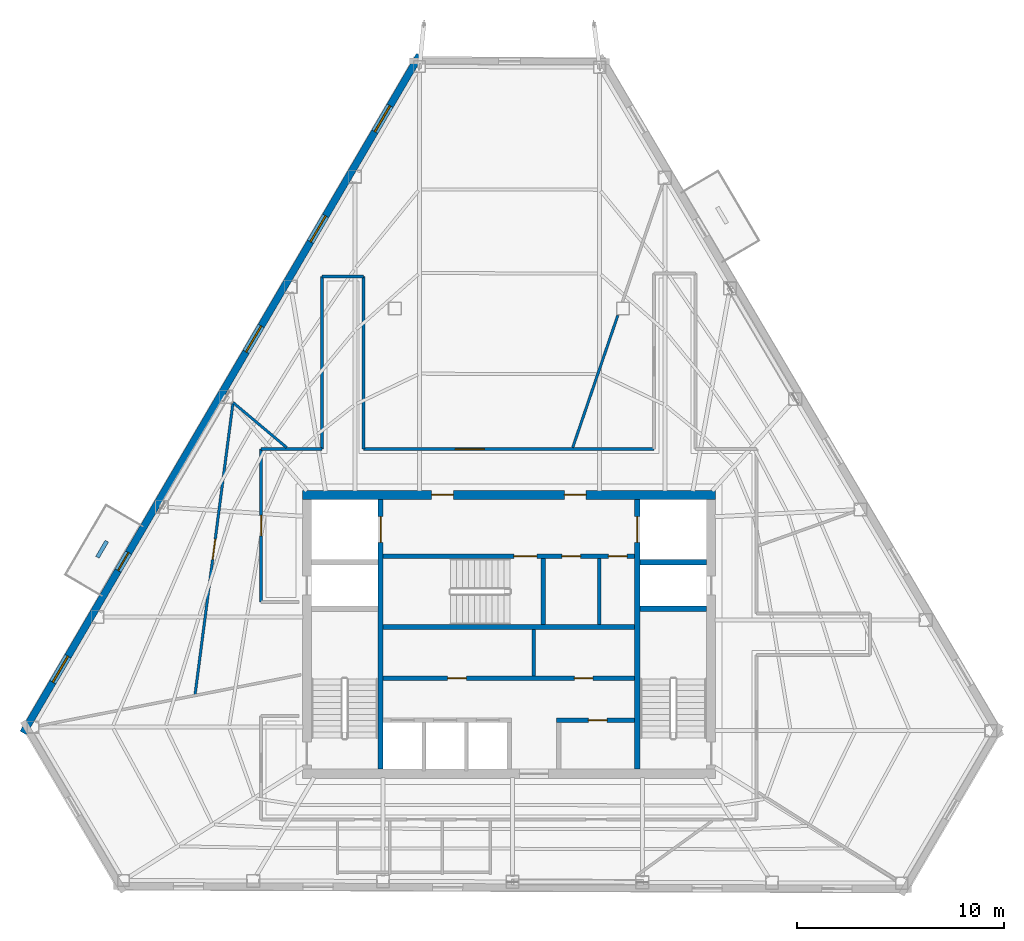
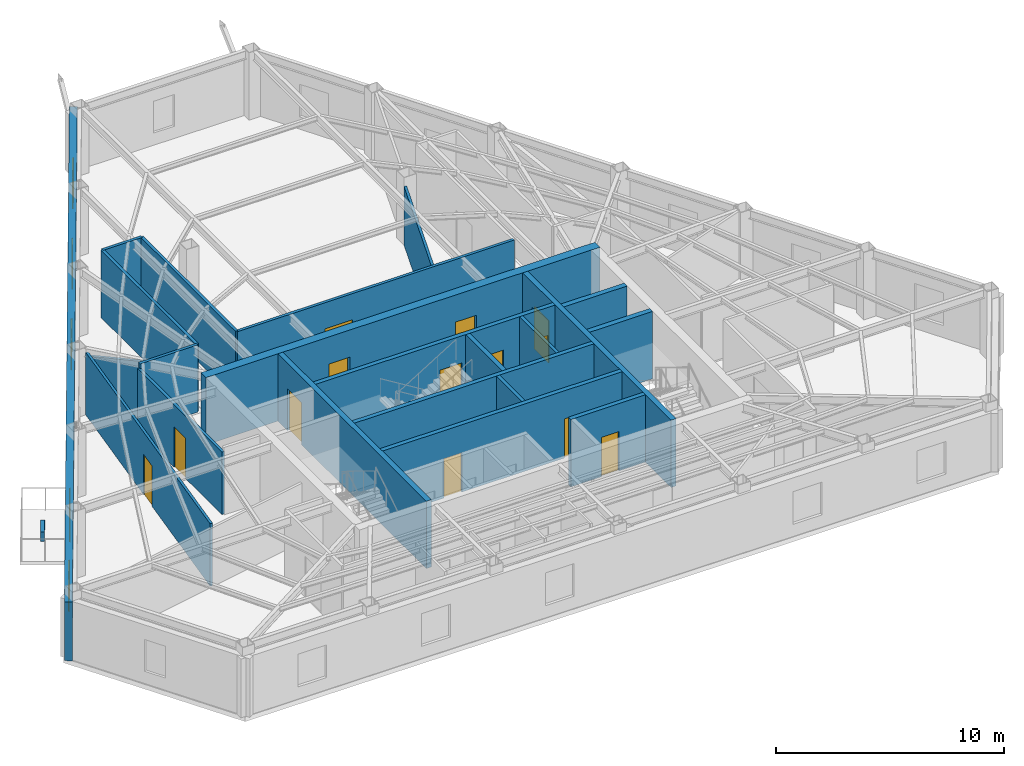
# One storey, part 7 of 10: 23 walls, 14 doors, 4 windows, 18 openings.
"""IFC4 building model written with IfcOpenShell, lengths in metres."""

from ifc_helpers import new_model, si_unit, direction, frame, frame_2d, origin, place, context, subcontext, project, spatial, rectangle, extrude, material, layer, layer_set, type_object, element, fill, save


model = new_model("IFC4")

# Units and contexts
model_context = context("Model", 3, precision=1e-05, world=origin(), true_north=direction((0.0, 1.0)))
body_context = subcontext(model_context, "Body", "Model", "MODEL_VIEW")
ifc_project = project(units=[si_unit("LENGTHUNIT", "METRE"), si_unit("AREAUNIT", "SQUARE_METRE"), si_unit("VOLUMEUNIT", "CUBIC_METRE"), si_unit("PLANEANGLEUNIT", "RADIAN"), si_unit("MASSUNIT", "GRAM", prefix="KILO")], contexts=[model_context])

# Site, building, storey
site_placement = place(None, origin())
site = spatial("IfcSite", under=ifc_project, at=site_placement, CompositionType="ELEMENT")
building_placement = place(site_placement, origin())
building = spatial("IfcBuilding", under=site, at=building_placement, Name="Kavelnor Concourse Tower", CompositionType="ELEMENT")
storey_placement = place(building_placement, frame((0.0, 0.0, 199.64990234375)))
storey = spatial("IfcBuildingStorey", under=building, at=storey_placement, Name="L50", CompositionType="ELEMENT", Elevation=199.64990234375)

# Wall, openings, doors
ifc_material_1 = material(Name="Concrete C50/60", Category="concrete")
ifc_layer_1 = layer(ifc_material_1, 0.43994140625, Name="Concrete C50/60")
ifc_layer_set_1 = layer_set([ifc_layer_1], Name="Concrete C50/60")
wall_type_1 = type_object("IfcWallType", Name="WL-CORE-Z3-440", PredefinedType="SOLIDWALL", material=ifc_layer_set_1)
wall_1_placement = place(storey_placement, frame((28.0400390625, 22.820068359375, 0.0), z_axis=(0.0, 0.0, 1.0), x_axis=(1.0, 0.0, 0.0)))
wall_1 = element("IfcWall", 1, at=wall_1_placement, inside=storey, type_object=wall_type_1, Name="L50 Central Core North Shear Wall", PredefinedType="SOLIDWALL", context=body_context, shape_type="SweptSolid", body=[
    extrude(rectangle(XDim=19.919921875, YDim=0.43994140625, at=frame_2d((9.9599609375, 0.0))), origin(), (0.0, 0.0, 1.0), 3.60009765625),
])
opening_1_placement = place(wall_1_placement, frame((6.235107421875, 0.0, 0.0)))
opening_1 = element("IfcOpeningElement", 2, at=opening_1_placement, cuts=wall_1, Name="Opening FD-105", PredefinedType="OPENING", context=body_context, shape_type="SweptSolid", body=[
    extrude(rectangle(XDim=1.050048828125, YDim=2.14990234375, at=frame_2d((0.52490234375, 1.074951171875))), frame((0.0, 0.22998046875, 0.0), z_axis=(0.0, -1.0, 0.0), x_axis=(1.0, 0.0, 0.0)), (0.0, 0.0, 1.0), 0.4599609375),
])
opening_2_placement = place(wall_1_placement, frame((12.635009765625, 0.0, 0.0)))
opening_2 = element("IfcOpeningElement", 3, at=opening_2_placement, cuts=wall_1, Name="Opening FD-105", PredefinedType="OPENING", context=body_context, shape_type="SweptSolid", body=[
    extrude(rectangle(XDim=1.050048828125, YDim=2.14990234375, at=frame_2d((0.52490234375, 1.074951171875))), frame((0.0, 0.22998046875, 0.0), z_axis=(0.0, -1.0, 0.0), x_axis=(1.0, 0.0, 0.0)), (0.0, 0.0, 1.0), 0.4599609375),
])
ifc_material_2 = material(Name="Steel Grade 350", Category="steel")
door_type_1 = type_object("IfcDoorType", Name="DR-LOBBY-FIRE-1050", OperationType="NOTDEFINED", PredefinedType="DOOR", material=ifc_material_2)
door_1_placement = place(opening_1_placement, origin())
door_1 = element("IfcDoor", 4, at=door_1_placement, inside=storey, type_object=door_type_1, Name="L50 Emergency Lift Lobby West Door", OperationType="SINGLE_SWING_LEFT", OverallHeight=2.14990234375, OverallWidth=1.050048828125, PredefinedType="DOOR", context=body_context, shape_type="SweptSolid", body=[
    extrude(rectangle(XDim=1.050048828125, YDim=2.14990234375, at=frame_2d((0.52490234375, 1.074951171875))), frame((0.0, 0.02490234375, 0.0), z_axis=(0.0, -1.0, 0.0), x_axis=(1.0, 0.0, 0.0)), (0.0, 0.0, 1.0), 0.050048828125),
])
fill(opening_1, door_1)
door_2_placement = place(opening_2_placement, origin())
door_2 = element("IfcDoor", 5, at=door_2_placement, inside=storey, type_object=door_type_1, Name="L50 Emergency Lift Lobby East Door", OperationType="SINGLE_SWING_RIGHT", OverallHeight=2.14990234375, OverallWidth=1.050048828125, PredefinedType="DOOR", context=body_context, shape_type="SweptSolid", body=[
    extrude(rectangle(XDim=1.050048828125, YDim=2.14990234375, at=frame_2d((0.52490234375, 1.074951171875))), frame((0.0, 0.02490234375, 0.0), z_axis=(0.0, -1.0, 0.0), x_axis=(1.0, 0.0, 0.0)), (0.0, 0.0, 1.0), 0.050048828125),
])
fill(opening_2, door_2)

# Wall, openings, door, windows
ifc_material_3 = material(Name="Red-ochre clay face brick masonry", Category="masonry")
ifc_layer_2 = layer(ifc_material_3, 0.35009765625, Name="Red-ochre clay face brick masonry")
ifc_layer_set_2 = layer_set([ifc_layer_2], Name="Red-ochre clay face brick masonry")
wall_type_2 = type_object("IfcWallType", Name="WL-EXT-RED-BRICK-PIER-350", PredefinedType="STANDARD", material=ifc_layer_set_2)
wall_2_placement = place(storey_placement, frame((14.586181640625, 11.34716796875, 0.0), z_axis=(0.0, 0.0, 1.0), x_axis=(0.504997770855, 0.863120647089, 0.0)))
wall_2 = element("IfcWall", 6, at=wall_2_placement, inside=storey, type_object=wall_type_2, Name="L50 Exterior Brick Facade Wall E1", PredefinedType="STANDARD", context=body_context, shape_type="SweptSolid", body=[
    extrude(rectangle(XDim=37.842529296875, YDim=0.35009765625, at=frame_2d((18.92138671875, 0.0))), origin(), (0.0, 0.0, 1.0), 3.132080078125),
])
opening_3_placement = place(wall_2_placement, frame((9.060546875, 0.0, 0.0)))
opening_3 = element("IfcOpeningElement", 7, at=opening_3_placement, cuts=wall_2, Name="Opening BD-100", PredefinedType="OPENING", context=body_context, shape_type="SweptSolid", body=[
    extrude(rectangle(XDim=1.0, YDim=2.199951171875, at=frame_2d((0.5, 1.10009765625))), frame((0.0, 0.18505859375, 0.0), z_axis=(0.0, -1.0, 0.0), x_axis=(1.0, 0.0, 0.0)), (0.0, 0.0, 1.0), 0.3701171875),
])
opening_4_placement = place(wall_2_placement, frame((33.5673828125, 0.0, 0.64990234375)))
opening_4 = element("IfcOpeningElement", 8, at=opening_4_placement, cuts=wall_2, Name="Opening W-03", PredefinedType="OPENING", context=body_context, shape_type="SweptSolid", body=[
    extrude(rectangle(XDim=1.449951171875, YDim=1.75, at=frame_2d((0.72509765625, 0.875))), frame((0.0, 0.18505859375, 0.0), z_axis=(0.0, -1.0, 0.0), x_axis=(1.0, 0.0, 0.0)), (0.0, 0.0, 1.0), 0.3701171875),
])
opening_5_placement = place(wall_2_placement, frame((27.420166015625, 0.0, 0.64990234375)))
opening_5 = element("IfcOpeningElement", 9, at=opening_5_placement, cuts=wall_2, Name="Opening W-03", PredefinedType="OPENING", context=body_context, shape_type="SweptSolid", body=[
    extrude(rectangle(XDim=1.449951171875, YDim=1.75, at=frame_2d((0.72509765625, 0.875))), frame((0.0, 0.18505859375, 0.0), z_axis=(0.0, -1.0, 0.0), x_axis=(1.0, 0.0, 0.0)), (0.0, 0.0, 1.0), 0.3701171875),
])
opening_6_placement = place(wall_2_placement, frame((21.272705078125, 0.0, 0.64990234375)))
opening_6 = element("IfcOpeningElement", 10, at=opening_6_placement, cuts=wall_2, Name="Opening W-03", PredefinedType="OPENING", context=body_context, shape_type="SweptSolid", body=[
    extrude(rectangle(XDim=1.449951171875, YDim=1.75, at=frame_2d((0.72509765625, 0.875))), frame((0.0, 0.18505859375, 0.0), z_axis=(0.0, -1.0, 0.0), x_axis=(1.0, 0.0, 0.0)), (0.0, 0.0, 1.0), 0.3701171875),
])
opening_7_placement = place(wall_2_placement, frame((2.830810546875, 0.0, 0.64990234375)))
opening_7 = element("IfcOpeningElement", 11, at=opening_7_placement, cuts=wall_2, Name="Opening W-03", PredefinedType="OPENING", context=body_context, shape_type="SweptSolid", body=[
    extrude(rectangle(XDim=1.449951171875, YDim=1.75, at=frame_2d((0.72509765625, 0.875))), frame((0.0, 0.18505859375, 0.0), z_axis=(0.0, -1.0, 0.0), x_axis=(1.0, 0.0, 0.0)), (0.0, 0.0, 1.0), 0.3701171875),
])
ifc_material_4 = material(Name="Anodised aluminium 6063-T6", Category="aluminium")
door_type_2 = type_object("IfcDoorType", Name="DR-BALCONY-EXT-1000", OperationType="NOTDEFINED", PredefinedType="DOOR", material=ifc_material_4)
door_3_placement = place(opening_3_placement, origin())
door_3 = element("IfcDoor", 12, at=door_3_placement, inside=storey, type_object=door_type_2, Name="L50 Tree Balcony 2 Glazed Door", OperationType="SINGLE_SWING_RIGHT", OverallHeight=2.199951171875, OverallWidth=1.0, PredefinedType="DOOR", context=body_context, shape_type="SweptSolid", body=[
    extrude(rectangle(XDim=1.0, YDim=2.199951171875, at=frame_2d((0.5, 1.10009765625))), frame((0.0, 0.02490234375, 0.0), z_axis=(0.0, -1.0, 0.0), x_axis=(1.0, 0.0, 0.0)), (0.0, 0.0, 1.0), 0.050048828125),
])
fill(opening_3, door_3)
ifc_material_5 = material(Name="Double low-E argon insulated glazing", Category="glass")
window_type = type_object("IfcWindowType", Name="WIN-PIER-Z3-1500", PartitioningType="SINGLE_PANEL", PredefinedType="WINDOW", material=ifc_material_5)
window_1_placement = place(opening_4_placement, origin())
window_1 = element("IfcWindow", 13, at=window_1_placement, inside=storey, type_object=window_type, Name="L50 Deep-Set Brick Pier Window F0-B0", OverallHeight=1.75, OverallWidth=1.449951171875, PartitioningType="SINGLE_PANEL", PredefinedType="WINDOW", context=body_context, shape_type="SweptSolid", body=[
    extrude(rectangle(XDim=1.449951171875, YDim=1.75, at=frame_2d((0.72509765625, 0.875))), frame((0.0, 0.030029296875, 0.0), z_axis=(0.0, -1.0, 0.0), x_axis=(1.0, 0.0, 0.0)), (0.0, 0.0, 1.0), 0.06005859375),
])
fill(opening_4, window_1)
window_2_placement = place(opening_5_placement, origin())
window_2 = element("IfcWindow", 14, at=window_2_placement, inside=storey, type_object=window_type, Name="L50 Deep-Set Brick Pier Window F0-B1", OverallHeight=1.75, OverallWidth=1.449951171875, PartitioningType="SINGLE_PANEL", PredefinedType="WINDOW", context=body_context, shape_type="SweptSolid", body=[
    extrude(rectangle(XDim=1.449951171875, YDim=1.75, at=frame_2d((0.72509765625, 0.875))), frame((0.0, 0.030029296875, 0.0), z_axis=(0.0, -1.0, 0.0), x_axis=(1.0, 0.0, 0.0)), (0.0, 0.0, 1.0), 0.06005859375),
])
fill(opening_5, window_2)
window_3_placement = place(opening_6_placement, origin())
window_3 = element("IfcWindow", 15, at=window_3_placement, inside=storey, type_object=window_type, Name="L50 Deep-Set Brick Pier Window F0-B2", OverallHeight=1.75, OverallWidth=1.449951171875, PartitioningType="SINGLE_PANEL", PredefinedType="WINDOW", context=body_context, shape_type="SweptSolid", body=[
    extrude(rectangle(XDim=1.449951171875, YDim=1.75, at=frame_2d((0.72509765625, 0.875))), frame((0.0, 0.030029296875, 0.0), z_axis=(0.0, -1.0, 0.0), x_axis=(1.0, 0.0, 0.0)), (0.0, 0.0, 1.0), 0.06005859375),
])
fill(opening_6, window_3)
window_4_placement = place(opening_7_placement, origin())
window_4 = element("IfcWindow", 16, at=window_4_placement, inside=storey, type_object=window_type, Name="L50 Deep-Set Brick Pier Window F0-B5", OverallHeight=1.75, OverallWidth=1.449951171875, PartitioningType="SINGLE_PANEL", PredefinedType="WINDOW", context=body_context, shape_type="SweptSolid", body=[
    extrude(rectangle(XDim=1.449951171875, YDim=1.75, at=frame_2d((0.72509765625, 0.875))), frame((0.0, 0.030029296875, 0.0), z_axis=(0.0, -1.0, 0.0), x_axis=(1.0, 0.0, 0.0)), (0.0, 0.0, 1.0), 0.06005859375),
])
fill(opening_7, window_4)

# Wall, opening, door
ifc_material_6 = material(Name="Gypsum plasterboard on light-gauge steel studs", Category="steel")
ifc_layer_3 = layer(ifc_material_6, 0.14501953125, Name="Gypsum plasterboard on light-gauge steel studs")
ifc_layer_set_3 = layer_set([ifc_layer_3], Name="Gypsum plasterboard on light-gauge steel studs")
wall_type_3 = type_object("IfcWallType", Name="WL-INT-CORR-145", PredefinedType="PARTITIONING", material=ifc_layer_set_3)
wall_3_placement = place(storey_placement, frame((26.06005859375, 17.64990234375, 0.0), z_axis=(0.0, 0.0, 1.0), x_axis=(0.0, 1.0, 0.0)))
wall_3 = element("IfcWall", 17, at=wall_3_placement, inside=storey, type_object=wall_type_3, Name="L50 Corridor Wall WL-L50-CR-02", PredefinedType="PARTITIONING", context=body_context, shape_type="SweptSolid", body=[
    extrude(rectangle(XDim=7.3701171875, YDim=0.14501953125, at=frame_2d((3.68505859375, 0.0))), origin(), (0.0, 0.0, 1.0), 3.339111328125),
])
opening_8_placement = place(wall_3_placement, frame((3.195068359375, 0.0, 0.0)))
opening_8 = element("IfcOpeningElement", 18, at=opening_8_placement, cuts=wall_3, Name="Opening OD-098", PredefinedType="OPENING", context=body_context, shape_type="SweptSolid", body=[
    extrude(rectangle(XDim=0.97998046875, YDim=2.14990234375, at=frame_2d((0.489990234375, 1.074951171875))), frame((0.0, 0.08251953125, 0.0), z_axis=(0.0, -1.0, 0.0), x_axis=(1.0, 0.0, 0.0)), (0.0, 0.0, 1.0), 0.1650390625),
])
ifc_material_7 = material(Name="Solid-core hardwood timber", Category="wood")
door_type_3 = type_object("IfcDoorType", Name="DR-OFFICE-980", OperationType="NOTDEFINED", PredefinedType="DOOR", material=ifc_material_7)
door_4_placement = place(opening_8_placement, origin())
door_4 = element("IfcDoor", 19, at=door_4_placement, inside=storey, type_object=door_type_3, Name="L50 Staff Breakout Pantry 03 Door", OperationType="SINGLE_SWING_RIGHT", OverallHeight=2.14990234375, OverallWidth=0.97998046875, PredefinedType="DOOR", context=body_context, shape_type="SweptSolid", body=[
    extrude(rectangle(XDim=0.97998046875, YDim=2.14990234375, at=frame_2d((0.489990234375, 1.074951171875))), frame((0.0, 0.02490234375, 0.0), z_axis=(0.0, -1.0, 0.0), x_axis=(1.0, 0.0, 0.0)), (0.0, 0.0, 1.0), 0.050048828125),
])
fill(opening_8, door_4)

# Walls
wall_4_placement = place(storey_placement, frame((26.06005859375, 25.02001953125, 0.0), z_axis=(0.0, 0.0, 1.0), x_axis=(1.0, 0.0, 0.0)))
element("IfcWall", 20, at=wall_4_placement, inside=storey, type_object=wall_type_3, Name="L50 Corridor Wall WL-L50-CR-03", PredefinedType="PARTITIONING", context=body_context, shape_type="SweptSolid", body=[
    extrude(rectangle(XDim=2.93994140625, YDim=0.14501953125, at=frame_2d((1.469970703125, 0.0))), origin(), (0.0, 0.0, 1.0), 3.60009765625),
])
wall_5_placement = place(storey_placement, frame((29.0, 25.02001953125, 0.0), z_axis=(0.0, 0.0, 1.0), x_axis=(0.0, 1.0, 0.0)))
element("IfcWall", 21, at=wall_5_placement, inside=storey, type_object=wall_type_3, Name="L50 Corridor Wall WL-L50-CR-04", PredefinedType="PARTITIONING", context=body_context, shape_type="SweptSolid", body=[
    extrude(rectangle(XDim=8.321533203125, YDim=0.14501953125, at=frame_2d((4.16064453125, 0.0))), origin(), (0.0, 0.0, 1.0), 3.60009765625),
])
wall_6_placement = place(storey_placement, frame((29.0, 33.341552734375, 0.0), z_axis=(0.0, 0.0, 1.0), x_axis=(1.0, 0.0, 0.0)))
element("IfcWall", 22, at=wall_6_placement, inside=storey, type_object=wall_type_3, Name="L50 Corridor Wall WL-L50-CR-05", PredefinedType="PARTITIONING", context=body_context, shape_type="SweptSolid", body=[
    extrude(rectangle(XDim=2.0, YDim=0.14501953125, at=frame_2d((1.0, 0.0))), origin(), (0.0, 0.0, 1.0), 3.60009765625),
])
wall_7_placement = place(storey_placement, frame((31.0, 33.341552734375, 0.0), z_axis=(0.0, 0.0, 1.0), x_axis=(0.0, -1.0, 0.0)))
element("IfcWall", 23, at=wall_7_placement, inside=storey, type_object=wall_type_3, Name="L50 Corridor Wall WL-L50-CR-06", PredefinedType="PARTITIONING", context=body_context, shape_type="SweptSolid", body=[
    extrude(rectangle(XDim=8.321533203125, YDim=0.14501953125, at=frame_2d((4.16064453125, 0.0))), origin(), (0.0, 0.0, 1.0), 3.60009765625),
])

# Wall, opening, door
wall_8_placement = place(storey_placement, frame((31.0, 25.02001953125, 0.0), z_axis=(0.0, 0.0, 1.0), x_axis=(1.0, 0.0, 0.0)))
wall_8 = element("IfcWall", 24, at=wall_8_placement, inside=storey, type_object=wall_type_3, Name="L50 Corridor Wall WL-L50-CR-07", PredefinedType="PARTITIONING", context=body_context, shape_type="SweptSolid", body=[
    extrude(rectangle(XDim=14.0, YDim=0.14501953125, at=frame_2d((7.0, 0.0))), origin(), (0.0, 0.0, 1.0), 3.60009765625),
])
opening_9_placement = place(wall_8_placement, frame((4.42041015625, 0.0, 0.0)))
opening_9 = element("IfcOpeningElement", 25, at=opening_9_placement, cuts=wall_8, Name="Opening SD-140", PredefinedType="OPENING", context=body_context, shape_type="SweptSolid", body=[
    extrude(rectangle(XDim=1.39990234375, YDim=2.199951171875, at=frame_2d((0.699951171875, 1.10009765625))), frame((0.0, 0.08251953125, 0.0), z_axis=(0.0, -1.0, 0.0), x_axis=(1.0, 0.0, 0.0)), (0.0, 0.0, 1.0), 0.1650390625),
])
door_type_4 = type_object("IfcDoorType", Name="DR-SUITE-ENTRY-1400", OperationType="NOTDEFINED", PredefinedType="DOOR", material=ifc_material_7)
door_5_placement = place(opening_9_placement, origin())
door_5 = element("IfcDoor", 26, at=door_5_placement, inside=storey, type_object=door_type_4, Name="L50 Executive Dining Room 02 Door", OperationType="SINGLE_SWING_LEFT", OverallHeight=2.199951171875, OverallWidth=1.39990234375, PredefinedType="DOOR", context=body_context, shape_type="SweptSolid", body=[
    extrude(rectangle(XDim=1.39990234375, YDim=2.199951171875, at=frame_2d((0.699951171875, 1.10009765625))), frame((0.0, 0.02490234375, 0.0), z_axis=(0.0, -1.0, 0.0), x_axis=(1.0, 0.0, 0.0)), (0.0, 0.0, 1.0), 0.050048828125),
])
fill(opening_9, door_5)

# Walls
ifc_layer_4 = layer(ifc_material_6, 0.1650390625, Name="Gypsum plasterboard on light-gauge steel studs")
ifc_layer_set_4 = layer_set([ifc_layer_4], Name="Gypsum plasterboard on light-gauge steel studs")
wall_type_4 = type_object("IfcWallType", Name="WL-INT-FIRE-165", PredefinedType="PARTITIONING", material=ifc_layer_set_4)
wall_9_placement = place(storey_placement, frame((39.199951171875, 14.10009765625, 0.0), z_axis=(0.0, 0.0, 1.0), x_axis=(0.0, 1.0, 0.0)))
element("IfcWall", 27, at=wall_9_placement, inside=storey, type_object=wall_type_4, Name="L50 Reclaimed Core Partition C", PredefinedType="PARTITIONING", context=body_context, shape_type="SweptSolid", body=[
    extrude(rectangle(XDim=2.239990234375, YDim=0.1650390625, at=frame_2d((1.1201171875, 0.0))), origin(), (0.0, 0.0, 1.0), 3.60009765625),
])
wall_10_placement = place(storey_placement, frame((42.35009765625, 16.56005859375, 0.0), z_axis=(0.0, 0.0, 1.0), x_axis=(0.0, 1.0, 0.0)))
element("IfcWall", 28, at=wall_10_placement, inside=storey, type_object=wall_type_4, Name="L50 Core Support Asymmetric Divider", PredefinedType="PARTITIONING", context=body_context, shape_type="SweptSolid", body=[
    extrude(rectangle(XDim=3.199951171875, YDim=0.1650390625, at=frame_2d((1.60009765625, 0.0))), origin(), (0.0, 0.0, 1.0), 3.60009765625),
])
ifc_layer_5 = layer(ifc_material_6, 0.125, Name="Gypsum plasterboard on light-gauge steel studs")
ifc_layer_set_5 = layer_set([ifc_layer_5], Name="Gypsum plasterboard on light-gauge steel studs")
wall_type_5 = type_object("IfcWallType", Name="WL-INT-SUITE-125", PredefinedType="PARTITIONING", material=ifc_layer_set_5)
wall_11_placement = place(storey_placement, frame((41.072998046875, 25.1005859375, 0.0), z_axis=(0.0, 0.0, 1.0), x_axis=(0.323105831647, 0.946362838216, 0.0)))
element("IfcWall", 29, at=wall_11_placement, inside=storey, type_object=wall_type_5, Name="L50 Radial Suite Partition 02", PredefinedType="PARTITIONING", context=body_context, shape_type="SweptSolid", body=[
    extrude(rectangle(XDim=6.732421875, YDim=0.125, at=frame_2d((3.3662109375, 0.0))), origin(), (0.0, 0.0, 1.0), 3.14111328125),
])
wall_12_placement = place(storey_placement, frame((27.285400390625, 25.1005859375, 0.0), z_axis=(0.0, 0.0, 1.0), x_axis=(-0.765710570965, 0.643185293296, 0.0)))
element("IfcWall", 30, at=wall_12_placement, inside=storey, type_object=wall_type_5, Name="L50 Radial Suite Partition 03", PredefinedType="PARTITIONING", context=body_context, shape_type="SweptSolid", body=[
    extrude(rectangle(XDim=3.371337890625, YDim=0.125, at=frame_2d((1.685546875, 0.0))), origin(), (0.0, 0.0, 1.0), 3.14111328125),
])

# Wall, opening, door
wall_13_placement = place(storey_placement, frame((24.6953125, 27.216552734375, 0.0), z_axis=(0.0, 0.0, 1.0), x_axis=(-0.128889138704, -0.991659008896, 0.0)))
wall_13 = element("IfcWall", 31, at=wall_13_placement, inside=storey, type_object=wall_type_5, Name="L50 Suite Subdivision Partition 03", PredefinedType="PARTITIONING", context=body_context, shape_type="SweptSolid", body=[
    extrude(rectangle(XDim=14.17041015625, YDim=0.125, at=frame_2d((7.085205078125, 0.0))), origin(), (0.0, 0.0, 1.0), 3.339111328125),
])
opening_10_placement = place(wall_13_placement, frame((6.5908203125, 0.0, 0.0)))
opening_10 = element("IfcOpeningElement", 32, at=opening_10_placement, cuts=wall_13, Name="Opening OD-098", PredefinedType="OPENING", context=body_context, shape_type="SweptSolid", body=[
    extrude(rectangle(XDim=0.97998046875, YDim=2.14990234375, at=frame_2d((0.489990234375, 1.074951171875))), frame((0.0, 0.072509765625, 0.0), z_axis=(0.0, -1.0, 0.0), x_axis=(1.0, 0.0, 0.0)), (0.0, 0.0, 1.0), 0.14501953125),
])
door_6_placement = place(opening_10_placement, origin())
door_6 = element("IfcDoor", 33, at=door_6_placement, inside=storey, type_object=door_type_3, Name="L50 Tenant Bookstore Retail Shop 04 Door", OperationType="SINGLE_SWING_LEFT", OverallHeight=2.14990234375, OverallWidth=0.97998046875, PredefinedType="DOOR", context=body_context, shape_type="SweptSolid", body=[
    extrude(rectangle(XDim=0.97998046875, YDim=2.14990234375, at=frame_2d((0.489990234375, 1.074951171875))), frame((0.0, 0.02490234375, 0.0), z_axis=(0.0, -1.0, 0.0), x_axis=(1.0, 0.0, 0.0)), (0.0, 0.0, 1.0), 0.050048828125),
])
fill(opening_10, door_6)

# Wall
ifc_material_8 = material(Name="Architectural precast planter concrete C40/50", Category="concrete")
ifc_layer_6 = layer(ifc_material_8, 0.18994140625, Name="Architectural precast planter concrete C40/50")
ifc_layer_set_6 = layer_set([ifc_layer_6], Name="Architectural precast planter concrete C40/50")
wall_type_6 = type_object("IfcWallType", Name="WL-PLANTER-KERB-190", PredefinedType="USERDEFINED", material=ifc_layer_set_6)
wall_14_placement = place(storey_placement, frame((18.61865234375, 20.5859375, 0.0), z_axis=(0.0, 0.0, 1.0), x_axis=(-0.504848991093, -0.863207678483, 0.0)))
element("IfcWall", 34, at=wall_14_placement, inside=storey, type_object=wall_type_6, Name="L50 Tree Balcony 2 Tree Planter Kerb", ObjectType="PLANTER", PredefinedType="USERDEFINED", context=body_context, shape_type="SweptSolid", body=[
    extrude(rectangle(XDim=0.89990234375, YDim=0.18994140625, at=frame_2d((0.449951171875, 0.0))), origin(), (0.0, 0.0, 1.0), 0.5),
])

# Wall, openings, doors
ifc_layer_7 = layer(ifc_material_1, 0.219970703125, Name="Concrete C50/60")
ifc_layer_set_7 = layer_set([ifc_layer_7], Name="Concrete C50/60")
wall_type_7 = type_object("IfcWallType", Name="WL-SHAFT-220", PredefinedType="SOLIDWALL", material=ifc_layer_set_7)
wall_15_placement = place(storey_placement, frame((31.93994140625, 19.8701171875, 0.0), z_axis=(0.0, 0.0, 1.0), x_axis=(1.0, 0.0, 0.0)))
wall_15 = element("IfcWall", 35, at=wall_15_placement, inside=storey, type_object=wall_type_7, Name="L50 Emergency Lift Lobby South Wall", PredefinedType="SOLIDWALL", context=body_context, shape_type="SweptSolid", body=[
    extrude(rectangle(XDim=12.1201171875, YDim=0.219970703125, at=frame_2d((6.06005859375, 0.0))), origin(), (0.0, 0.0, 1.0), 3.60009765625),
])
opening_11_placement = place(wall_15_placement, frame((6.300048828125, 0.0, 0.0)))
opening_11 = element("IfcOpeningElement", 36, at=opening_11_placement, cuts=wall_15, Name="Opening FD-110", PredefinedType="OPENING", context=body_context, shape_type="SweptSolid", body=[
    extrude(rectangle(XDim=1.10009765625, YDim=2.14990234375, at=frame_2d((0.550048828125, 1.074951171875))), frame((0.0, 0.1201171875, 0.0), z_axis=(0.0, -1.0, 0.0), x_axis=(1.0, 0.0, 0.0)), (0.0, 0.0, 1.0), 0.239990234375),
])
opening_12_placement = place(wall_15_placement, frame((8.610107421875, 0.0, 0.0)))
opening_12 = element("IfcOpeningElement", 37, at=opening_12_placement, cuts=wall_15, Name="Opening FD-090", PredefinedType="OPENING", context=body_context, shape_type="SweptSolid", body=[
    extrude(rectangle(XDim=0.89990234375, YDim=2.10009765625, at=frame_2d((0.449951171875, 1.050048828125))), frame((0.0, 0.1201171875, 0.0), z_axis=(0.0, -1.0, 0.0), x_axis=(1.0, 0.0, 0.0)), (0.0, 0.0, 1.0), 0.239990234375),
])
opening_13_placement = place(wall_15_placement, frame((10.85009765625, 0.0, 0.0)))
opening_13 = element("IfcOpeningElement", 38, at=opening_13_placement, cuts=wall_15, Name="Opening FD-090", PredefinedType="OPENING", context=body_context, shape_type="SweptSolid", body=[
    extrude(rectangle(XDim=0.89990234375, YDim=2.10009765625, at=frame_2d((0.449951171875, 1.050048828125))), frame((0.0, 0.1201171875, 0.0), z_axis=(0.0, -1.0, 0.0), x_axis=(1.0, 0.0, 0.0)), (0.0, 0.0, 1.0), 0.239990234375),
])
door_type_5 = type_object("IfcDoorType", Name="DR-RISER-FIRE-900", OperationType="NOTDEFINED", PredefinedType="DOOR", material=ifc_material_2)
door_7_placement = place(opening_12_placement, origin())
door_7 = element("IfcDoor", 39, at=door_7_placement, inside=storey, type_object=door_type_5, Name="L50 Electrical Room Door", OperationType="SINGLE_SWING_LEFT", OverallHeight=2.10009765625, OverallWidth=0.89990234375, PredefinedType="DOOR", context=body_context, shape_type="SweptSolid", body=[
    extrude(rectangle(XDim=0.89990234375, YDim=2.10009765625, at=frame_2d((0.449951171875, 1.050048828125))), frame((0.0, 0.02490234375, 0.0), z_axis=(0.0, -1.0, 0.0), x_axis=(1.0, 0.0, 0.0)), (0.0, 0.0, 1.0), 0.050048828125),
])
fill(opening_12, door_7)
door_8_placement = place(opening_13_placement, origin())
door_8 = element("IfcDoor", 40, at=door_8_placement, inside=storey, type_object=door_type_5, Name="L50 Cleaner Store Door", OperationType="SINGLE_SWING_RIGHT", OverallHeight=2.10009765625, OverallWidth=0.89990234375, PredefinedType="DOOR", context=body_context, shape_type="SweptSolid", body=[
    extrude(rectangle(XDim=0.89990234375, YDim=2.10009765625, at=frame_2d((0.449951171875, 1.050048828125))), frame((0.0, 0.02490234375, 0.0), z_axis=(0.0, -1.0, 0.0), x_axis=(1.0, 0.0, 0.0)), (0.0, 0.0, 1.0), 0.050048828125),
])
fill(opening_13, door_8)
door_type_6 = type_object("IfcDoorType", Name="DR-STAIR-FIRE-1100", OperationType="NOTDEFINED", PredefinedType="DOOR", material=ifc_material_2)
door_9_placement = place(opening_11_placement, origin())
door_9 = element("IfcDoor", 41, at=door_9_placement, inside=storey, type_object=door_type_6, Name="L50 Stair ST3 Fire Door", OperationType="SINGLE_SWING_LEFT", OverallHeight=2.14990234375, OverallWidth=1.10009765625, PredefinedType="DOOR", context=body_context, shape_type="SweptSolid", body=[
    extrude(rectangle(XDim=1.10009765625, YDim=2.14990234375, at=frame_2d((0.550048828125, 1.074951171875))), frame((0.0, 0.02490234375, 0.0), z_axis=(0.0, -1.0, 0.0), x_axis=(1.0, 0.0, 0.0)), (0.0, 0.0, 1.0), 0.050048828125),
])
fill(opening_11, door_9)

# Walls
wall_16_placement = place(storey_placement, frame((31.93994140625, 16.449951171875, 0.0), z_axis=(0.0, 0.0, 1.0), x_axis=(1.0, 0.0, 0.0)))
element("IfcWall", 42, at=wall_16_placement, inside=storey, type_object=wall_type_7, Name="L50 Stair ST3 South Core Wall", PredefinedType="SOLIDWALL", context=body_context, shape_type="SweptSolid", body=[
    extrude(rectangle(XDim=12.1201171875, YDim=0.219970703125, at=frame_2d((6.06005859375, 0.0))), origin(), (0.0, 0.0, 1.0), 3.60009765625),
])
wall_17_placement = place(storey_placement, frame((39.64990234375, 16.56005859375, 0.0), z_axis=(0.0, 0.0, 1.0), x_axis=(0.0, 1.0, 0.0)))
element("IfcWall", 43, at=wall_17_placement, inside=storey, type_object=wall_type_7, Name="L50 Stair ST3 East Core Wall", PredefinedType="SOLIDWALL", context=body_context, shape_type="SweptSolid", body=[
    extrude(rectangle(XDim=3.199951171875, YDim=0.219970703125, at=frame_2d((1.60009765625, 0.0))), origin(), (0.0, 0.0, 1.0), 3.60009765625),
])

# Wall, openings, doors
wall_18_placement = place(storey_placement, frame((31.93994140625, 13.989990234375, 0.0), z_axis=(0.0, 0.0, 1.0), x_axis=(1.0, 0.0, 0.0)))
wall_18 = element("IfcWall", 44, at=wall_18_placement, inside=storey, type_object=wall_type_7, Name="L50 North Lift Row Shaft Wall", PredefinedType="SOLIDWALL", context=body_context, shape_type="SweptSolid", body=[
    extrude(rectangle(XDim=12.1201171875, YDim=0.219970703125, at=frame_2d((6.06005859375, 0.0))), origin(), (0.0, 0.0, 1.0), 3.60009765625),
])
opening_14_placement = place(wall_18_placement, frame((3.110107421875, 0.0, 0.0)))
opening_14 = element("IfcOpeningElement", 45, at=opening_14_placement, cuts=wall_18, Name="Opening FD-090", PredefinedType="OPENING", context=body_context, shape_type="SweptSolid", body=[
    extrude(rectangle(XDim=0.89990234375, YDim=2.10009765625, at=frame_2d((0.449951171875, 1.050048828125))), frame((0.0, 0.1201171875, 0.0), z_axis=(0.0, -1.0, 0.0), x_axis=(1.0, 0.0, 0.0)), (0.0, 0.0, 1.0), 0.239990234375),
])
opening_15_placement = place(wall_18_placement, frame((9.2099609375, 0.0, 0.0)))
opening_15 = element("IfcOpeningElement", 46, at=opening_15_placement, cuts=wall_18, Name="Opening FD-090", PredefinedType="OPENING", context=body_context, shape_type="SweptSolid", body=[
    extrude(rectangle(XDim=0.89990234375, YDim=2.10009765625, at=frame_2d((0.449951171875, 1.050048828125))), frame((0.0, 0.1201171875, 0.0), z_axis=(0.0, -1.0, 0.0), x_axis=(1.0, 0.0, 0.0)), (0.0, 0.0, 1.0), 0.239990234375),
])
door_10_placement = place(opening_14_placement, origin())
door_10 = element("IfcDoor", 47, at=door_10_placement, inside=storey, type_object=door_type_5, Name="L50 Lounge Pantry Door", OperationType="SINGLE_SWING_LEFT", OverallHeight=2.10009765625, OverallWidth=0.89990234375, PredefinedType="DOOR", context=body_context, shape_type="SweptSolid", body=[
    extrude(rectangle(XDim=0.89990234375, YDim=2.10009765625, at=frame_2d((0.449951171875, 1.050048828125))), frame((0.0, 0.02490234375, 0.0), z_axis=(0.0, -1.0, 0.0), x_axis=(1.0, 0.0, 0.0)), (0.0, 0.0, 1.0), 0.050048828125),
])
fill(opening_14, door_10)
door_11_placement = place(opening_15_placement, origin())
door_11 = element("IfcDoor", 48, at=door_11_placement, inside=storey, type_object=door_type_5, Name="L50 Facilities Store Door", OperationType="SINGLE_SWING_RIGHT", OverallHeight=2.10009765625, OverallWidth=0.89990234375, PredefinedType="DOOR", context=body_context, shape_type="SweptSolid", body=[
    extrude(rectangle(XDim=0.89990234375, YDim=2.10009765625, at=frame_2d((0.449951171875, 1.050048828125))), frame((0.0, 0.02490234375, 0.0), z_axis=(0.0, -1.0, 0.0), x_axis=(1.0, 0.0, 0.0)), (0.0, 0.0, 1.0), 0.050048828125),
])
fill(opening_15, door_11)

# Wall, opening, door
wall_19_placement = place(storey_placement, frame((40.280029296875, 11.949951171875, 0.0), z_axis=(0.0, 0.0, 1.0), x_axis=(1.0, 0.0, 0.0)))
wall_19 = element("IfcWall", 49, at=wall_19_placement, inside=storey, type_object=wall_type_7, Name="L50 Core South Support North Wall", PredefinedType="SOLIDWALL", context=body_context, shape_type="SweptSolid", body=[
    extrude(rectangle(XDim=3.780029296875, YDim=0.219970703125, at=frame_2d((1.89013671875, 0.0))), origin(), (0.0, 0.0, 1.0), 3.60009765625),
])
opening_16_placement = place(wall_19_placement, frame((1.550048828125, 0.0, 0.0)))
opening_16 = element("IfcOpeningElement", 50, at=opening_16_placement, cuts=wall_19, Name="Opening FD-090", PredefinedType="OPENING", context=body_context, shape_type="SweptSolid", body=[
    extrude(rectangle(XDim=0.89990234375, YDim=2.10009765625, at=frame_2d((0.449951171875, 1.050048828125))), frame((0.0, 0.1201171875, 0.0), z_axis=(0.0, -1.0, 0.0), x_axis=(1.0, 0.0, 0.0)), (0.0, 0.0, 1.0), 0.239990234375),
])
door_12_placement = place(opening_16_placement, origin())
door_12 = element("IfcDoor", 51, at=door_12_placement, inside=storey, type_object=door_type_5, Name="L50 Core Utility Store Door", OperationType="SINGLE_SWING_LEFT", OverallHeight=2.10009765625, OverallWidth=0.89990234375, PredefinedType="DOOR", context=body_context, shape_type="SweptSolid", body=[
    extrude(rectangle(XDim=0.89990234375, YDim=2.10009765625, at=frame_2d((0.449951171875, 1.050048828125))), frame((0.0, 0.02490234375, 0.0), z_axis=(0.0, -1.0, 0.0), x_axis=(1.0, 0.0, 0.0)), (0.0, 0.0, 1.0), 0.050048828125),
])
fill(opening_16, door_12)

ifc_layer_8 = layer(ifc_material_1, 0.260009765625, Name="Concrete C50/60")
ifc_layer_set_8 = layer_set([ifc_layer_8], Name="Concrete C50/60")
wall_type_8 = type_object("IfcWallType", Name="WL-SHAFT-260", PredefinedType="SHEAR", material=ifc_layer_set_8)
wall_20_placement = place(storey_placement, frame((31.81005859375, 9.60009765625, 0.0), z_axis=(0.0, 0.0, 1.0), x_axis=(0.0, 1.0, 0.0)))
wall_20 = element("IfcWall", 52, at=wall_20_placement, inside=storey, type_object=wall_type_8, Name="L50 Core West Wing Shear Wall", PredefinedType="SHEAR", context=body_context, shape_type="SweptSolid", body=[
    extrude(rectangle(XDim=13.0, YDim=0.260009765625, at=frame_2d((6.5, 0.0))), origin(), (0.0, 0.0, 1.0), 3.60009765625),
])
opening_17_placement = place(wall_20_placement, frame((10.925048828125, 0.0, 0.0)))
opening_17 = element("IfcOpeningElement", 53, at=opening_17_placement, cuts=wall_20, Name="Opening LD-125", PredefinedType="OPENING", context=body_context, shape_type="SweptSolid", body=[
    extrude(rectangle(XDim=1.25, YDim=2.25, at=frame_2d((0.625, 1.125))), frame((0.0, 0.14013671875, 0.0), z_axis=(0.0, -1.0, 0.0), x_axis=(1.0, 0.0, 0.0)), (0.0, 0.0, 1.0), 0.280029296875),
])
door_type_7 = type_object("IfcDoorType", Name="DR-LIFT-SLIDING-1250", OperationType="NOTDEFINED", PredefinedType="DOOR", material=ifc_material_2)
door_13_placement = place(opening_17_placement, origin())
door_13 = element("IfcDoor", 54, at=door_13_placement, inside=storey, type_object=door_type_7, Name="L50 Emergency Lift FL1 Landing Door", OperationType="DOUBLE_DOOR_SLIDING", OverallHeight=2.25, OverallWidth=1.25, PredefinedType="DOOR", context=body_context, shape_type="SweptSolid", body=[
    extrude(rectangle(XDim=1.25, YDim=2.25, at=frame_2d((0.625, 1.125))), frame((0.0, 0.02490234375, 0.0), z_axis=(0.0, -1.0, 0.0), x_axis=(1.0, 0.0, 0.0)), (0.0, 0.0, 1.0), 0.050048828125),
])
fill(opening_17, door_13)

wall_21_placement = place(storey_placement, frame((44.18994140625, 9.60009765625, 0.0), z_axis=(0.0, 0.0, 1.0), x_axis=(0.0, 1.0, 0.0)))
wall_21 = element("IfcWall", 55, at=wall_21_placement, inside=storey, type_object=wall_type_8, Name="L50 Core East Wing Shear Wall", PredefinedType="SHEAR", context=body_context, shape_type="SweptSolid", body=[
    extrude(rectangle(XDim=13.0, YDim=0.260009765625, at=frame_2d((6.5, 0.0))), origin(), (0.0, 0.0, 1.0), 3.60009765625),
])
opening_18_placement = place(wall_21_placement, frame((10.925048828125, 0.0, 0.0)))
opening_18 = element("IfcOpeningElement", 56, at=opening_18_placement, cuts=wall_21, Name="Opening LD-125", PredefinedType="OPENING", context=body_context, shape_type="SweptSolid", body=[
    extrude(rectangle(XDim=1.25, YDim=2.25, at=frame_2d((0.625, 1.125))), frame((0.0, 0.14013671875, 0.0), z_axis=(0.0, -1.0, 0.0), x_axis=(1.0, 0.0, 0.0)), (0.0, 0.0, 1.0), 0.280029296875),
])
door_14_placement = place(opening_18_placement, origin())
door_14 = element("IfcDoor", 57, at=door_14_placement, inside=storey, type_object=door_type_7, Name="L50 Emergency Lift FL2 Landing Door", OperationType="DOUBLE_DOOR_SLIDING", OverallHeight=2.25, OverallWidth=1.25, PredefinedType="DOOR", context=body_context, shape_type="SweptSolid", body=[
    extrude(rectangle(XDim=1.25, YDim=2.25, at=frame_2d((0.625, 1.125))), frame((0.0, 0.02490234375, 0.0), z_axis=(0.0, -1.0, 0.0), x_axis=(1.0, 0.0, 0.0)), (0.0, 0.0, 1.0), 0.050048828125),
])
fill(opening_18, door_14)

# Walls
for number, where, z_axis, x_axis, name in (
    (58, (44.320068359375, 17.330078125, 0.0), (0.0, 0.0, 1.0), (1.0, 0.0, 0.0), "L50 Stair ST2 North Shaft Wall"),
    (59, (44.320068359375, 19.570068359375, 0.0), (0.0, 0.0, 1.0), (1.0, 0.0, 0.0), "L50 Emergency Lift FL2 South Shaft Wall"),
):
    element("IfcWall", number, at=place(storey_placement, frame(where, z_axis=z_axis, x_axis=x_axis)), inside=storey, type_object=wall_type_8, Name=name, PredefinedType="SHEAR", context=body_context, shape_type="SweptSolid", body=[
        extrude(rectangle(XDim=3.199951171875, YDim=0.260009765625, at=frame_2d((1.60009765625, 0.0))), origin(), (0.0, 0.0, 1.0), 3.60009765625),
    ])

save(model, "model.ifc")
